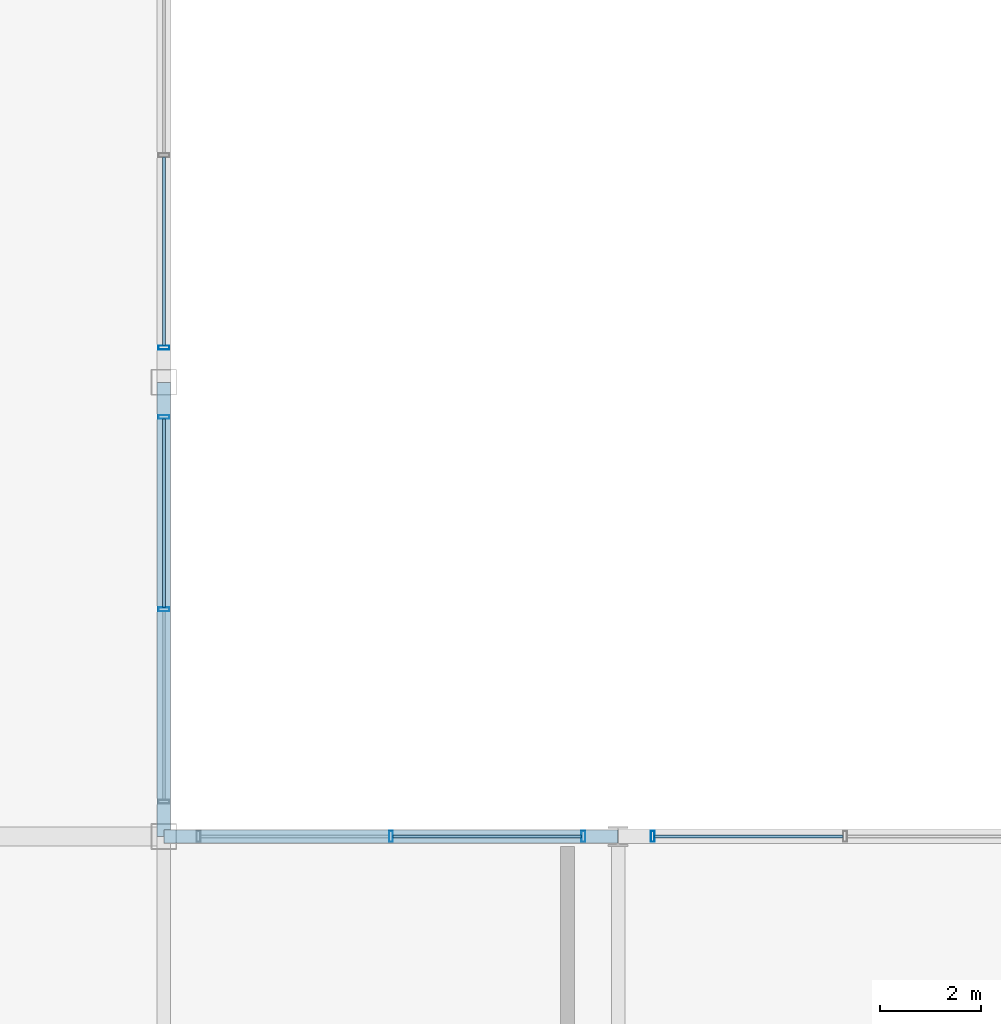
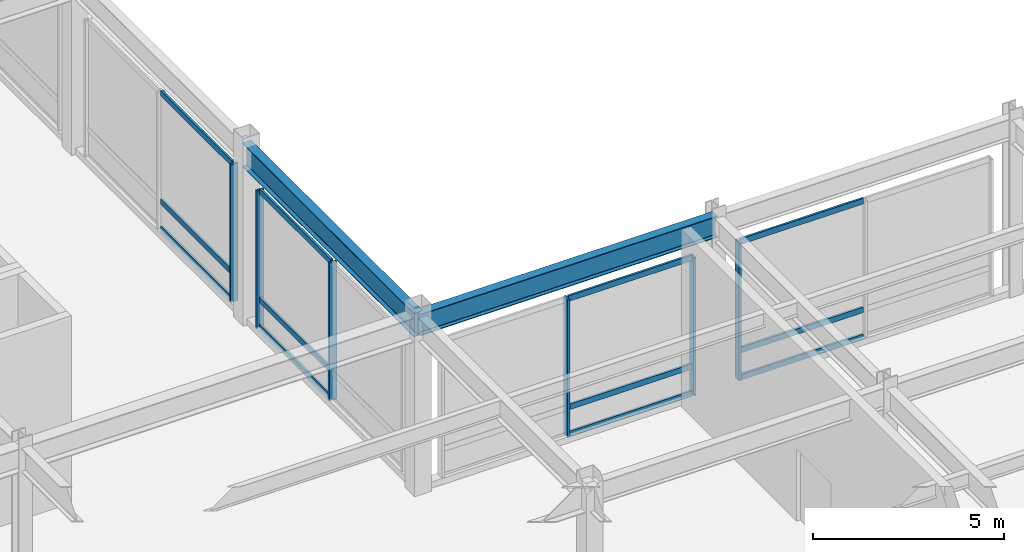
# One storey, part 47 of 105: 18 members, 2 beams, 4 elements without a shape of their own.
"""IFC4 building model written with IfcOpenShell, lengths in metres."""

from ifc_helpers import new_model, si_unit, direction, frame, origin, origin_2d, place, context, subcontext, project, spatial, hollow_rectangle, i_section, extrude, material, material_profile, profile_set, type_object, element, aggregate, save


model = new_model("IFC4")

# Units and contexts
model_context = context("Model", 3, precision=1e-05, world=origin(), true_north=direction((0.0, 1.0)))
body_context = subcontext(model_context, "Body", "Model", "MODEL_VIEW")
ifc_project = project(units=[si_unit("LENGTHUNIT", "METRE"), si_unit("AREAUNIT", "SQUARE_METRE"), si_unit("VOLUMEUNIT", "CUBIC_METRE"), si_unit("PLANEANGLEUNIT", "RADIAN"), si_unit("MASSUNIT", "GRAM", prefix="KILO")], contexts=[model_context])

# Site, building, storey
site_placement = place(None, origin())
site = spatial("IfcSite", under=ifc_project, at=site_placement, CompositionType="ELEMENT")
building_placement = place(site_placement, origin())
building = spatial("IfcBuilding", under=site, at=building_placement, Name="Kaldorvane Square Convention Centre", CompositionType="ELEMENT")
storey_placement = place(building_placement, frame((0.0, 0.0, 6.0)))
storey = spatial("IfcBuildingStorey", under=building, at=storey_placement, Name="L01", CompositionType="ELEMENT", Elevation=6.0)

# Beams
ifc_material_1 = material(Name="Steel ASTM A992 Gr. 50", Category="steel")
ifc_material_profile_1 = material_profile(ifc_material_1, i_section(OverallWidth=0.25439453125, OverallDepth=0.6880950927734375, WebThickness=0.0131072998046875, FlangeThickness=0.0211029052734375, FilletRadius=0.01519775390625, at=origin_2d()), Name="W27X102")
ifc_profile_set_1 = profile_set([ifc_material_profile_1], Name="Steel ASTM A992 Gr. 50")
beam_type_1 = type_object("IfcBeamType", Name="BM-GR-W27X102", PredefinedType="BEAM", material=ifc_profile_set_1)
beam_1_placement = place(storey_placement, frame((138.0, 36.0, 5.332000732421875), z_axis=(1.0, 0.0, 0.0), x_axis=(0.0, 1.0, 0.0)))
element("IfcBeam", 1, at=beam_1_placement, inside=storey, type_object=beam_type_1, Name="Primary Girder (L01)", PredefinedType="BEAM", context=body_context, shape_type="SweptSolid", body=[
    extrude(i_section(OverallWidth=0.25439453125, OverallDepth=0.6880950927734375, WebThickness=0.0131072998046875, FlangeThickness=0.0211029052734375, FilletRadius=0.01519775390625, at=origin_2d()), origin(), (0.0, 0.0, 1.0), 9.0),
])
ifc_material_profile_2 = material_profile(ifc_material_1, i_section(OverallWidth=0.2666015625, OverallDepth=0.762298583984375, WebThickness=0.014404296875, FlangeThickness=0.0216064453125, FilletRadius=0.0164947509765625, at=origin_2d()), Name="W30X116")
ifc_profile_set_2 = profile_set([ifc_material_profile_2], Name="Steel ASTM A992 Gr. 50")
beam_type_2 = type_object("IfcBeamType", Name="BM-GR-W30X116", PredefinedType="BEAM", material=ifc_profile_set_2)
beam_2_placement = place(storey_placement, frame((138.0, 36.0, 5.2949066162109375), z_axis=(0.0, 1.0, 0.0), x_axis=(-1.0, 0.0, 0.0)))
element("IfcBeam", 2, at=beam_2_placement, inside=storey, type_object=beam_type_2, Name="Transverse Girder (L01)", PredefinedType="BEAM", context=body_context, shape_type="SweptSolid", body=[
    extrude(i_section(OverallWidth=0.2666015625, OverallDepth=0.762298583984375, WebThickness=0.014404296875, FlangeThickness=0.0216064453125, FilletRadius=0.0164947509765625, at=origin_2d()), origin(), (0.0, 0.0, 1.0), 9.0),
])

# Curtain wall, members
ifc_material_2 = material(Name="Anodized Aluminum and Low-E Insulated Glazing", Category="aluminium")
curtain_wall_type = type_object("IfcCurtainWallType", Name="CW-PTS-FC-60", PredefinedType="USERDEFINED", material=ifc_material_2)
curtain_wall_1_placement = place(storey_placement, origin())
curtain_wall_1 = element("IfcCurtainWall", 3, at=curtain_wall_1_placement, inside=storey, type_object=curtain_wall_type, Name="Curtain Wall CW-07 (L01)", ObjectType="POINT SUPPORTED GLAZING", PredefinedType="USERDEFINED")
ifc_material_profile_3 = material_profile(ifc_material_2, hollow_rectangle(XDim=0.0749969482421875, YDim=0.220001220703125, WallThickness=0.003997802734375, at=origin_2d()), Name="CWM-220X75")
ifc_profile_set_3 = profile_set([ifc_material_profile_3], Name="Anodized Aluminum and Low-E Insulated Glazing")
member_type_1 = type_object("IfcMemberType", Name="CW-MUL-220", PredefinedType="MULLION", material=ifc_profile_set_3)
member_1_placement = place(storey_placement, frame((146.3125, 36.0, 0.149993896484375), z_axis=(0.0, 0.0, 1.0), x_axis=(-1.0, 0.0, 0.0)))
member_1 = element("IfcMember", 4, at=member_1_placement, type_object=member_type_1, Name="CW-07 mullion 1", PredefinedType="MULLION", context=body_context, shape_type="SweptSolid", body=[
    extrude(hollow_rectangle(XDim=0.0749969482421875, YDim=0.220001220703125, WallThickness=0.003997802734375, at=origin_2d()), origin(), (0.0, 0.0, 1.0), 4.410003662109375),
])
member_2_placement = place(storey_placement, frame((142.5, 36.0, 0.149993896484375), z_axis=(0.0, 0.0, 1.0), x_axis=(-1.0, 0.0, 0.0)))
member_2 = element("IfcMember", 5, at=member_2_placement, type_object=member_type_1, Name="CW-07 mullion 2", PredefinedType="MULLION", context=body_context, shape_type="SweptSolid", body=[
    extrude(hollow_rectangle(XDim=0.0749969482421875, YDim=0.220001220703125, WallThickness=0.003997802734375, at=origin_2d()), origin(), (0.0, 0.0, 1.0), 4.410003662109375),
])

# Curtain wall, member
curtain_wall_2_placement = place(storey_placement, origin())
curtain_wall_2 = element("IfcCurtainWall", 6, at=curtain_wall_2_placement, inside=storey, type_object=curtain_wall_type, Name="Curtain Wall CW-07 (L01)", ObjectType="POINT SUPPORTED GLAZING", PredefinedType="USERDEFINED")
member_3_placement = place(storey_placement, frame((147.6875, 36.0, 0.149993896484375), z_axis=(0.0, 0.0, 1.0), x_axis=(-1.0, 0.0, 0.0)))
member_3 = element("IfcMember", 7, at=member_3_placement, type_object=member_type_1, Name="CW-07 mullion 3", PredefinedType="MULLION", context=body_context, shape_type="SweptSolid", body=[
    extrude(hollow_rectangle(XDim=0.0749969482421875, YDim=0.220001220703125, WallThickness=0.003997802734375, at=origin_2d()), origin(), (0.0, 0.0, 1.0), 4.410003662109375),
])

# Curtain wall, members
curtain_wall_3_placement = place(storey_placement, origin())
curtain_wall_3 = element("IfcCurtainWall", 8, at=curtain_wall_3_placement, inside=storey, type_object=curtain_wall_type, Name="Curtain Wall CW-07 (L01)", ObjectType="POINT SUPPORTED GLAZING", PredefinedType="USERDEFINED")
member_4_placement = place(storey_placement, frame((138.0, 40.5, 0.149993896484375), z_axis=(0.0, 0.0, 1.0), x_axis=(0.0, 1.0, 0.0)))
member_4 = element("IfcMember", 9, at=member_4_placement, type_object=member_type_1, Name="CW-07 mullion 2", PredefinedType="MULLION", context=body_context, shape_type="SweptSolid", body=[
    extrude(hollow_rectangle(XDim=0.0749969482421875, YDim=0.220001220703125, WallThickness=0.003997802734375, at=origin_2d()), origin(), (0.0, 0.0, 1.0), 4.410003662109375),
])
member_5_placement = place(storey_placement, frame((138.0, 44.3125, 0.149993896484375), z_axis=(0.0, 0.0, 1.0), x_axis=(0.0, 1.0, 0.0)))
member_5 = element("IfcMember", 10, at=member_5_placement, type_object=member_type_1, Name="CW-07 mullion 3", PredefinedType="MULLION", context=body_context, shape_type="SweptSolid", body=[
    extrude(hollow_rectangle(XDim=0.0749969482421875, YDim=0.220001220703125, WallThickness=0.003997802734375, at=origin_2d()), origin(), (0.0, 0.0, 1.0), 4.410003662109375),
])

# Curtain wall, member
curtain_wall_4_placement = place(storey_placement, origin())
curtain_wall_4 = element("IfcCurtainWall", 11, at=curtain_wall_4_placement, inside=storey, type_object=curtain_wall_type, Name="Curtain Wall CW-07 (L01)", ObjectType="POINT SUPPORTED GLAZING", PredefinedType="USERDEFINED")
member_6_placement = place(storey_placement, frame((138.0, 45.6875, 0.149993896484375), z_axis=(0.0, 0.0, 1.0), x_axis=(0.0, 1.0, 0.0)))
member_6 = element("IfcMember", 12, at=member_6_placement, type_object=member_type_1, Name="CW-07 mullion 1", PredefinedType="MULLION", context=body_context, shape_type="SweptSolid", body=[
    extrude(hollow_rectangle(XDim=0.0749969482421875, YDim=0.220001220703125, WallThickness=0.003997802734375, at=origin_2d()), origin(), (0.0, 0.0, 1.0), 4.410003662109375),
])

# Member
ifc_material_profile_4 = material_profile(ifc_material_2, hollow_rectangle(XDim=0.06500244140625, YDim=0.17999267578125, WallThickness=0.0034942626953125, at=origin_2d()), Name="CWT-180X65")
ifc_profile_set_4 = profile_set([ifc_material_profile_4], Name="Anodized Aluminum and Low-E Insulated Glazing")
member_type_2 = type_object("IfcMemberType", Name="CW-TRN-180", PredefinedType="USERDEFINED", material=ifc_profile_set_4)
member_7_placement = place(storey_placement, frame((146.27499389648438, 36.0, 0.1824951171875), z_axis=(-1.0, 0.0, 0.0), x_axis=(0.0, -1.0, 0.0)))
member_7 = element("IfcMember", 13, at=member_7_placement, type_object=member_type_2, Name="CW-07 transom 1.1", ObjectType="TRANSOM", PredefinedType="USERDEFINED", context=body_context, shape_type="SweptSolid", body=[
    extrude(hollow_rectangle(XDim=0.06500244140625, YDim=0.17999267578125, WallThickness=0.0034942626953125, at=origin_2d()), origin(), (0.0, 0.0, 1.0), 3.73748779296875),
])

member_8_placement = place(storey_placement, frame((146.27499389648438, 36.0, 1.0500030517578125), z_axis=(-1.0, 0.0, 0.0), x_axis=(0.0, -1.0, 0.0)))
member_8 = element("IfcMember", 14, at=member_8_placement, type_object=member_type_2, Name="CW-07 transom 1.2", ObjectType="TRANSOM", PredefinedType="USERDEFINED", context=body_context, shape_type="SweptSolid", body=[
    extrude(hollow_rectangle(XDim=0.06500244140625, YDim=0.17999267578125, WallThickness=0.0034942626953125, at=origin_2d()), origin(), (0.0, 0.0, 1.0), 3.73748779296875),
])

member_9_placement = place(storey_placement, frame((146.27499389648438, 36.0, 4.527496337890625), z_axis=(-1.0, 0.0, 0.0), x_axis=(0.0, -1.0, 0.0)))
member_9 = element("IfcMember", 15, at=member_9_placement, type_object=member_type_2, Name="CW-07 transom 1.3", ObjectType="TRANSOM", PredefinedType="USERDEFINED", context=body_context, shape_type="SweptSolid", body=[
    extrude(hollow_rectangle(XDim=0.06500244140625, YDim=0.17999267578125, WallThickness=0.0034942626953125, at=origin_2d()), origin(), (0.0, 0.0, 1.0), 3.73748779296875),
])

aggregate(curtain_wall_1, [member_1, member_2, member_7, member_8, member_9])

member_10_placement = place(storey_placement, frame((151.46249389648438, 36.0, 0.1824951171875), z_axis=(-1.0, 0.0, 0.0), x_axis=(0.0, -1.0, 0.0)))
member_10 = element("IfcMember", 16, at=member_10_placement, type_object=member_type_2, Name="CW-07 transom 2.1", ObjectType="TRANSOM", PredefinedType="USERDEFINED", context=body_context, shape_type="SweptSolid", body=[
    extrude(hollow_rectangle(XDim=0.06500244140625, YDim=0.17999267578125, WallThickness=0.0034942626953125, at=origin_2d()), origin(), (0.0, 0.0, 1.0), 3.73748779296875),
])

member_11_placement = place(storey_placement, frame((151.46249389648438, 36.0, 1.0500030517578125), z_axis=(-1.0, 0.0, 0.0), x_axis=(0.0, -1.0, 0.0)))
member_11 = element("IfcMember", 17, at=member_11_placement, type_object=member_type_2, Name="CW-07 transom 2.2", ObjectType="TRANSOM", PredefinedType="USERDEFINED", context=body_context, shape_type="SweptSolid", body=[
    extrude(hollow_rectangle(XDim=0.06500244140625, YDim=0.17999267578125, WallThickness=0.0034942626953125, at=origin_2d()), origin(), (0.0, 0.0, 1.0), 3.73748779296875),
])

member_12_placement = place(storey_placement, frame((151.46249389648438, 36.0, 4.527496337890625), z_axis=(-1.0, 0.0, 0.0), x_axis=(0.0, -1.0, 0.0)))
member_12 = element("IfcMember", 18, at=member_12_placement, type_object=member_type_2, Name="CW-07 transom 2.3", ObjectType="TRANSOM", PredefinedType="USERDEFINED", context=body_context, shape_type="SweptSolid", body=[
    extrude(hollow_rectangle(XDim=0.06500244140625, YDim=0.17999267578125, WallThickness=0.0034942626953125, at=origin_2d()), origin(), (0.0, 0.0, 1.0), 3.73748779296875),
])

aggregate(curtain_wall_2, [member_3, member_10, member_11, member_12])

member_13_placement = place(storey_placement, frame((138.0, 40.537506103515625, 0.1824951171875), z_axis=(0.0, 1.0, 0.0), x_axis=(-1.0, 0.0, 0.0)))
member_13 = element("IfcMember", 19, at=member_13_placement, type_object=member_type_2, Name="CW-07 transom 2.1", ObjectType="TRANSOM", PredefinedType="USERDEFINED", context=body_context, shape_type="SweptSolid", body=[
    extrude(hollow_rectangle(XDim=0.06500244140625, YDim=0.17999267578125, WallThickness=0.0034942626953125, at=origin_2d()), origin(), (0.0, 0.0, 1.0), 3.73748779296875),
])

member_14_placement = place(storey_placement, frame((138.0, 40.537506103515625, 1.0500030517578125), z_axis=(0.0, 1.0, 0.0), x_axis=(-1.0, 0.0, 0.0)))
member_14 = element("IfcMember", 20, at=member_14_placement, type_object=member_type_2, Name="CW-07 transom 2.2", ObjectType="TRANSOM", PredefinedType="USERDEFINED", context=body_context, shape_type="SweptSolid", body=[
    extrude(hollow_rectangle(XDim=0.06500244140625, YDim=0.17999267578125, WallThickness=0.0034942626953125, at=origin_2d()), origin(), (0.0, 0.0, 1.0), 3.73748779296875),
])

member_15_placement = place(storey_placement, frame((138.0, 40.537506103515625, 4.527496337890625), z_axis=(0.0, 1.0, 0.0), x_axis=(-1.0, 0.0, 0.0)))
member_15 = element("IfcMember", 21, at=member_15_placement, type_object=member_type_2, Name="CW-07 transom 2.3", ObjectType="TRANSOM", PredefinedType="USERDEFINED", context=body_context, shape_type="SweptSolid", body=[
    extrude(hollow_rectangle(XDim=0.06500244140625, YDim=0.17999267578125, WallThickness=0.0034942626953125, at=origin_2d()), origin(), (0.0, 0.0, 1.0), 3.73748779296875),
])

aggregate(curtain_wall_3, [member_4, member_5, member_13, member_14, member_15])

member_16_placement = place(storey_placement, frame((138.0, 45.725006103515625, 0.1824951171875), z_axis=(0.0, 1.0, 0.0), x_axis=(-1.0, 0.0, 0.0)))
member_16 = element("IfcMember", 22, at=member_16_placement, type_object=member_type_2, Name="CW-07 transom 1.1", ObjectType="TRANSOM", PredefinedType="USERDEFINED", context=body_context, shape_type="SweptSolid", body=[
    extrude(hollow_rectangle(XDim=0.06500244140625, YDim=0.17999267578125, WallThickness=0.0034942626953125, at=origin_2d()), origin(), (0.0, 0.0, 1.0), 3.73748779296875),
])

member_17_placement = place(storey_placement, frame((138.0, 45.725006103515625, 1.0500030517578125), z_axis=(0.0, 1.0, 0.0), x_axis=(-1.0, 0.0, 0.0)))
member_17 = element("IfcMember", 23, at=member_17_placement, type_object=member_type_2, Name="CW-07 transom 1.2", ObjectType="TRANSOM", PredefinedType="USERDEFINED", context=body_context, shape_type="SweptSolid", body=[
    extrude(hollow_rectangle(XDim=0.06500244140625, YDim=0.17999267578125, WallThickness=0.0034942626953125, at=origin_2d()), origin(), (0.0, 0.0, 1.0), 3.73748779296875),
])

member_18_placement = place(storey_placement, frame((138.0, 45.725006103515625, 4.527496337890625), z_axis=(0.0, 1.0, 0.0), x_axis=(-1.0, 0.0, 0.0)))
member_18 = element("IfcMember", 24, at=member_18_placement, type_object=member_type_2, Name="CW-07 transom 1.3", ObjectType="TRANSOM", PredefinedType="USERDEFINED", context=body_context, shape_type="SweptSolid", body=[
    extrude(hollow_rectangle(XDim=0.06500244140625, YDim=0.17999267578125, WallThickness=0.0034942626953125, at=origin_2d()), origin(), (0.0, 0.0, 1.0), 3.73748779296875),
])

aggregate(curtain_wall_4, [member_6, member_16, member_17, member_18])

save(model, "model.ifc")
